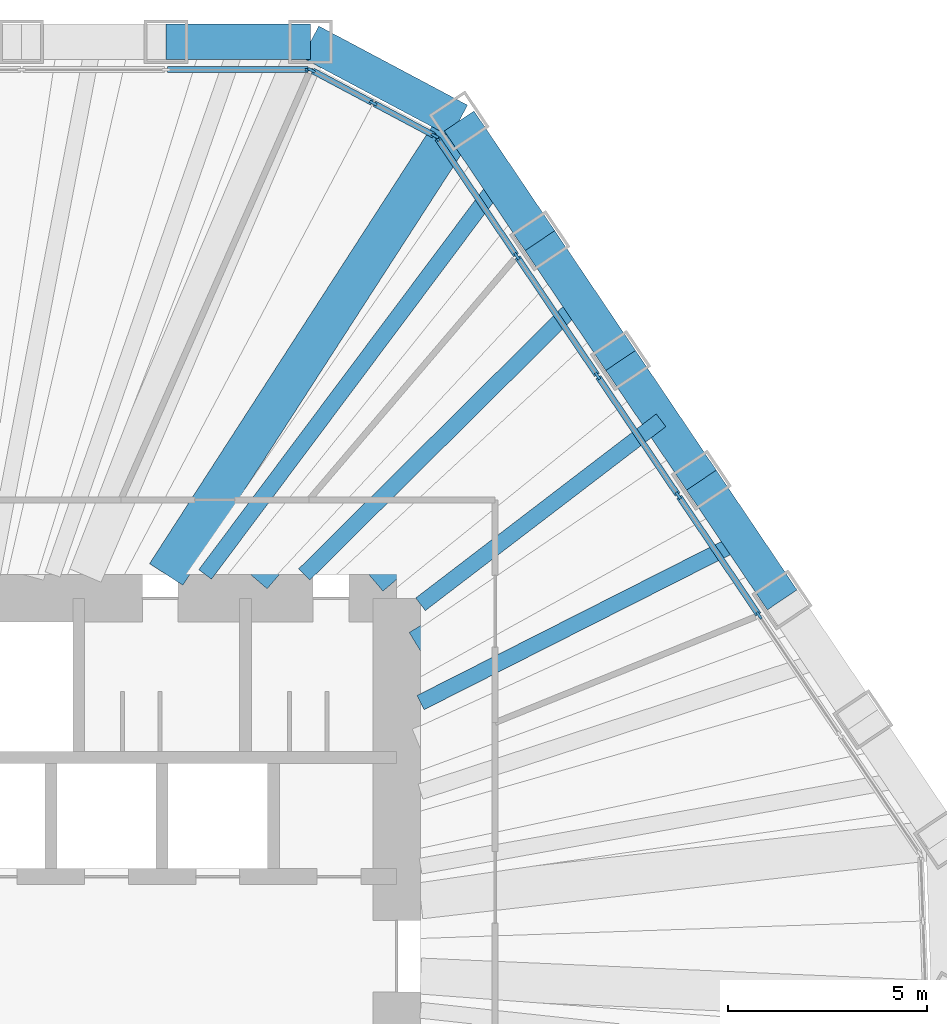
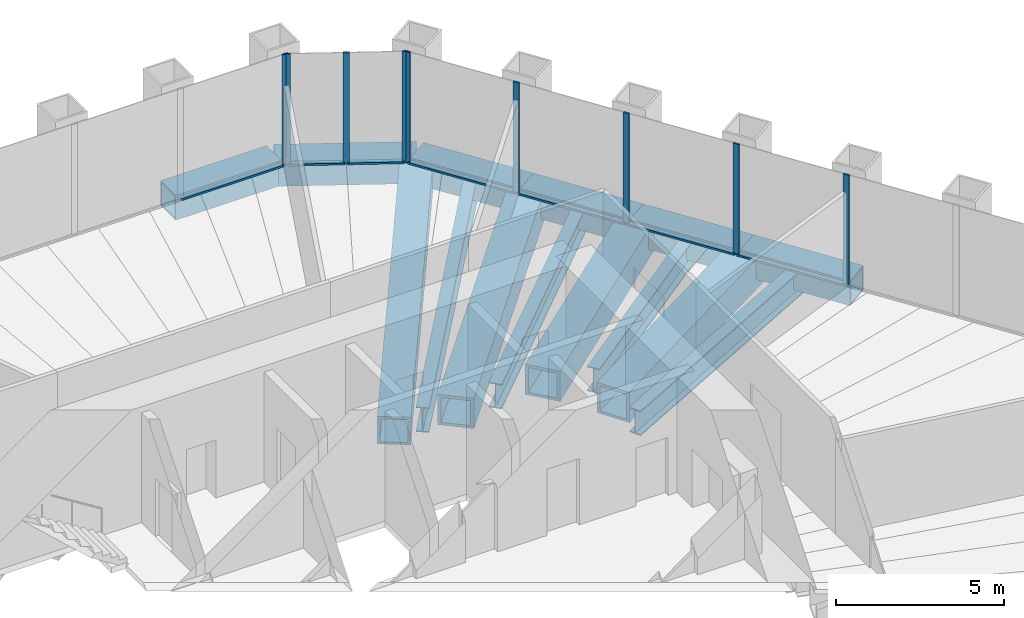
# One storey, part 6 of 12: 16 members, 14 beams, 3 elements without a shape of their own.
"""IFC4 building model written with IfcOpenShell, lengths in metres."""

from ifc_helpers import new_model, si_unit, direction, frame, origin, origin_2d, place, context, subcontext, project, spatial, rectangle, hollow_rectangle, i_section, extrude, material, material_profile, profile_set, type_object, element, aggregate, save


model = new_model("IFC4")

# Units and contexts
model_context = context("Model", 3, precision=1e-05, world=origin(), true_north=direction((0.0, 1.0)))
body_context = subcontext(model_context, "Body", "Model", "MODEL_VIEW")
ifc_project = project(units=[si_unit("LENGTHUNIT", "METRE"), si_unit("AREAUNIT", "SQUARE_METRE"), si_unit("VOLUMEUNIT", "CUBIC_METRE"), si_unit("PLANEANGLEUNIT", "RADIAN"), si_unit("MASSUNIT", "GRAM", prefix="KILO")], contexts=[model_context])

# Site, building, storey
site_placement = place(None, origin())
site = spatial("IfcSite", under=ifc_project, at=site_placement, CompositionType="ELEMENT")
building_placement = place(site_placement, origin())
building = spatial("IfcBuilding", under=site, at=building_placement, Name="Qingtian Harvest Tower", CompositionType="ELEMENT")
storey_placement = place(building_placement, frame((0.0, 0.0, 184.60009765625)))
storey = spatial("IfcBuildingStorey", under=building, at=storey_placement, Name="L39", CompositionType="ELEMENT", Elevation=184.60009765625)

# Beams
ifc_material_1 = material(Name="Steel SN490B", Category="steel")
ifc_material_profile_1 = material_profile(ifc_material_1, i_section(OverallWidth=0.39990234375, OverallDepth=0.89990234375, WebThickness=0.01904296875, FlangeThickness=0.035888671875, at=origin_2d()), Name="H900x400x19x36")
ifc_profile_set_1 = profile_set([ifc_material_profile_1], Name="Steel SN490B")
beam_type_1 = type_object("IfcBeamType", Name="Floor joist J4 H900x400x19x36", PredefinedType="JOIST", material=ifc_profile_set_1)
beam_1_placement = place(storey_placement, frame((14.58740234375, 19.504150390625, -0.6201171875), z_axis=(-0.598935081494, -0.800797582511, 0.0), x_axis=(0.800797582511, -0.598935081494, 0.0)))
element("IfcBeam", 1, at=beam_1_placement, inside=storey, type_object=beam_type_1, Name="Floor joist J4 NE0", PredefinedType="JOIST", context=body_context, shape_type="SweptSolid", body=[
    extrude(i_section(OverallWidth=0.39990234375, OverallDepth=0.89990234375, WebThickness=0.01904296875, FlangeThickness=0.035888671875, at=origin_2d()), origin(), (0.0, 0.0, 1.0), 12.36767578125),
])
beam_2_placement = place(storey_placement, frame((16.619140625, 16.49169921875, -0.6201171875), z_axis=(-0.709833839663, -0.704369164622, 0.0), x_axis=(0.704369164622, -0.709833839663, 0.0)))
element("IfcBeam", 2, at=beam_2_placement, inside=storey, type_object=beam_type_1, Name="Floor joist J4 NE1", PredefinedType="JOIST", context=body_context, shape_type="SweptSolid", body=[
    extrude(i_section(OverallWidth=0.39990234375, OverallDepth=0.89990234375, WebThickness=0.01904296875, FlangeThickness=0.035888671875, at=origin_2d()), origin(), (0.0, 0.0, 1.0), 9.7841796875),
])
beam_3_placement = place(storey_placement, frame((18.651123046875, 13.4794921875, -0.6201171875), z_axis=(-0.794222288871, -0.607627316585, 0.0), x_axis=(0.607627316585, -0.794222288871, 0.0)))
element("IfcBeam", 3, at=beam_3_placement, inside=storey, type_object=beam_type_1, Name="Floor joist J4 NE2", PredefinedType="JOIST", context=body_context, shape_type="SweptSolid", body=[
    extrude(i_section(OverallWidth=0.39990234375, OverallDepth=0.89990234375, WebThickness=0.01904296875, FlangeThickness=0.035888671875, at=origin_2d()), origin(), (0.0, 0.0, 1.0), 7.618896484375),
])
beam_4_placement = place(storey_placement, frame((20.682861328125, 10.467041015625, -0.6201171875), z_axis=(-0.892244443914, -0.451552712652, 0.0), x_axis=(0.451552712652, -0.892244443914, 0.0)))
element("IfcBeam", 4, at=beam_4_placement, inside=storey, type_object=beam_type_1, Name="Floor joist J4 NE3", PredefinedType="JOIST", context=body_context, shape_type="SweptSolid", body=[
    extrude(i_section(OverallWidth=0.39990234375, OverallDepth=0.89990234375, WebThickness=0.01904296875, FlangeThickness=0.035888671875, at=origin_2d()), origin(), (0.0, 0.0, 1.0), 9.058837890625),
])

# Curtain wall, member
ifc_material_2 = material(Name="Bronze-anodised aluminium curtain wall", Category="aluminium")
curtain_wall_type = type_object("IfcCurtainWallType", Name="Curtain wall CW4 office", PredefinedType="USERDEFINED", material=ifc_material_2)
curtain_wall_1_placement = place(storey_placement, origin())
curtain_wall_1 = element("IfcCurtainWall", 5, at=curtain_wall_1_placement, inside=storey, type_object=curtain_wall_type, Name="Curtain wall CW4 L39 N0-5", ObjectType="RECESSED CURTAIN WALL", PredefinedType="USERDEFINED")
ifc_material_3 = material(Name="Bronze-anodised aluminium mullion", Category="aluminium")
ifc_material_profile_2 = material_profile(ifc_material_3, rectangle(XDim=0.06494140625, YDim=0.199951171875, at=origin_2d()), Name="AL 65x200")
ifc_profile_set_2 = profile_set([ifc_material_profile_2], Name="Bronze-anodised aluminium mullion")
member_type_1 = type_object("IfcMemberType", Name="Mullion CWM 65x200", PredefinedType="MULLION", material=ifc_profile_set_2)
member_1_placement = place(storey_placement, frame((9.796875, 22.300048828125, 0.0), z_axis=(0.0, 0.0, 1.0), x_axis=(0.0, 1.0, 0.0)))
member_1 = element("IfcMember", 6, at=member_1_placement, type_object=member_type_1, Name="CW4 mullion 7", PredefinedType="MULLION", context=body_context, shape_type="SweptSolid", body=[
    extrude(rectangle(XDim=0.06494140625, YDim=0.199951171875, at=origin_2d()), origin(), (0.0, 0.0, 1.0), 4.02978515625),
])

# Curtain wall, members
curtain_wall_2_placement = place(storey_placement, origin())
curtain_wall_2 = element("IfcCurtainWall", 7, at=curtain_wall_2_placement, inside=storey, type_object=curtain_wall_type, Name="Curtain wall CW4 L39 NC", ObjectType="RECESSED CURTAIN WALL", PredefinedType="USERDEFINED")
member_2_placement = place(storey_placement, frame((9.85791015625, 22.28466796875, 0.0), z_axis=(0.0, 0.0, 1.0), x_axis=(0.469471562786, 0.882947592859, 0.0)))
member_2 = element("IfcMember", 8, at=member_2_placement, type_object=member_type_1, Name="CW4 mullion 1", PredefinedType="MULLION", context=body_context, shape_type="SweptSolid", body=[
    extrude(rectangle(XDim=0.06494140625, YDim=0.199951171875, at=origin_2d()), origin(), (0.0, 0.0, 1.0), 4.02978515625),
])
member_3_placement = place(storey_placement, frame((11.41015625, 21.45947265625, 0.0), z_axis=(0.0, 0.0, 1.0), x_axis=(0.469471562786, 0.882947592859, 0.0)))
member_3 = element("IfcMember", 9, at=member_3_placement, type_object=member_type_1, Name="CW4 mullion 2", PredefinedType="MULLION", context=body_context, shape_type="SweptSolid", body=[
    extrude(rectangle(XDim=0.06494140625, YDim=0.199951171875, at=origin_2d()), origin(), (0.0, 0.0, 1.0), 4.02978515625),
])
member_4_placement = place(storey_placement, frame((12.96240234375, 20.634033203125, 0.0), z_axis=(0.0, 0.0, 1.0), x_axis=(0.469471562786, 0.882947592859, 0.0)))
member_4 = element("IfcMember", 10, at=member_4_placement, type_object=member_type_1, Name="CW4 mullion 3", PredefinedType="MULLION", context=body_context, shape_type="SweptSolid", body=[
    extrude(rectangle(XDim=0.06494140625, YDim=0.199951171875, at=origin_2d()), origin(), (0.0, 0.0, 1.0), 4.02978515625),
])

curtain_wall_3_placement = place(storey_placement, origin())
curtain_wall_3 = element("IfcCurtainWall", 11, at=curtain_wall_3_placement, inside=storey, type_object=curtain_wall_type, Name="Curtain wall CW4 L39 NE0-5", ObjectType="RECESSED CURTAIN WALL", PredefinedType="USERDEFINED")
member_5_placement = place(storey_placement, frame((13.00927734375, 20.592041015625, 0.0), z_axis=(0.0, 0.0, 1.0), x_axis=(0.829037572555, 0.559192903471, 0.0)))
member_5 = element("IfcMember", 12, at=member_5_placement, type_object=member_type_1, Name="CW4 mullion 1", PredefinedType="MULLION", context=body_context, shape_type="SweptSolid", body=[
    extrude(rectangle(XDim=0.06494140625, YDim=0.199951171875, at=origin_2d()), origin(), (0.0, 0.0, 1.0), 4.02978515625),
])
member_6_placement = place(storey_placement, frame((15.02294921875, 17.6064453125, 0.0), z_axis=(0.0, 0.0, 1.0), x_axis=(0.829037572555, 0.559192903471, 0.0)))
member_6 = element("IfcMember", 13, at=member_6_placement, type_object=member_type_1, Name="CW4 mullion 2", PredefinedType="MULLION", context=body_context, shape_type="SweptSolid", body=[
    extrude(rectangle(XDim=0.06494140625, YDim=0.199951171875, at=origin_2d()), origin(), (0.0, 0.0, 1.0), 4.02978515625),
])
member_7_placement = place(storey_placement, frame((17.0546875, 14.59423828125, 0.0), z_axis=(0.0, 0.0, 1.0), x_axis=(0.829037572555, 0.559192903471, 0.0)))
member_7 = element("IfcMember", 14, at=member_7_placement, type_object=member_type_1, Name="CW4 mullion 3", PredefinedType="MULLION", context=body_context, shape_type="SweptSolid", body=[
    extrude(rectangle(XDim=0.06494140625, YDim=0.199951171875, at=origin_2d()), origin(), (0.0, 0.0, 1.0), 4.02978515625),
])
member_8_placement = place(storey_placement, frame((19.086669921875, 11.581787109375, 0.0), z_axis=(0.0, 0.0, 1.0), x_axis=(0.829037572555, 0.559192903471, 0.0)))
member_8 = element("IfcMember", 15, at=member_8_placement, type_object=member_type_1, Name="CW4 mullion 4", PredefinedType="MULLION", context=body_context, shape_type="SweptSolid", body=[
    extrude(rectangle(XDim=0.06494140625, YDim=0.199951171875, at=origin_2d()), origin(), (0.0, 0.0, 1.0), 4.02978515625),
])
member_9_placement = place(storey_placement, frame((21.118408203125, 8.569580078125, 0.0), z_axis=(0.0, 0.0, 1.0), x_axis=(0.829037572555, 0.559192903471, 0.0)))
member_9 = element("IfcMember", 16, at=member_9_placement, type_object=member_type_1, Name="CW4 mullion 5", PredefinedType="MULLION", context=body_context, shape_type="SweptSolid", body=[
    extrude(rectangle(XDim=0.06494140625, YDim=0.199951171875, at=origin_2d()), origin(), (0.0, 0.0, 1.0), 4.02978515625),
])

# Beams
ifc_material_4 = material(Name="Steel SM570MC", Category="steel")
ifc_material_profile_3 = material_profile(ifc_material_4, hollow_rectangle(XDim=1.0, YDim=1.0, WallThickness=0.080078125, at=origin_2d()), Name="BOX1000x1000x80")
ifc_profile_set_3 = profile_set([ifc_material_profile_3], Name="Steel SM570MC")
beam_type_2 = type_object("IfcBeamType", Name="Transfer corner beam FB11 BOX1000x1000x80", PredefinedType="BEAM", material=ifc_profile_set_3)
beam_5_placement = place(storey_placement, frame((13.5712890625, 21.01025390625, -0.670166015625), z_axis=(-0.542593072822, -0.839995688873, 0.0), x_axis=(0.839995688873, -0.542593072822, 0.0)))
element("IfcBeam", 17, at=beam_5_placement, inside=storey, type_object=beam_type_2, Name="Floor beam FB11 NE0", PredefinedType="BEAM", context=body_context, shape_type="SweptSolid", body=[
    extrude(hollow_rectangle(XDim=1.0, YDim=1.0, WallThickness=0.080078125, at=origin_2d()), origin(), (0.0, 0.0, 1.0), 13.58349609375),
])
ifc_material_5 = material(Name="Steel SM570MC", Category="steel")
ifc_material_profile_4 = material_profile(ifc_material_5, hollow_rectangle(XDim=1.10009765625, YDim=1.10009765625, WallThickness=0.10009765625, at=origin_2d()), Name="BOX1100x1100x100")
ifc_profile_set_4 = profile_set([ifc_material_profile_4], Name="Steel SM570MC")
beam_type_3 = type_object("IfcBeamType", Name="Transfer floor beam FB9 BOX1100x1100x100", PredefinedType="BEAM", material=ifc_profile_set_4)
beam_6_placement = place(storey_placement, frame((15.603271484375, 17.998046875, -0.72021484375), z_axis=(-0.655048444444, -0.755586881458, 0.0), x_axis=(0.755586881458, -0.655048444444, 0.0)))
element("IfcBeam", 18, at=beam_6_placement, inside=storey, type_object=beam_type_3, Name="Floor beam FB9 NE1", PredefinedType="BEAM", context=body_context, shape_type="SweptSolid", body=[
    extrude(hollow_rectangle(XDim=1.10009765625, YDim=1.10009765625, WallThickness=0.10009765625, at=origin_2d()), origin(), (0.0, 0.0, 1.0), 11.114501953125),
])
beam_7_placement = place(storey_placement, frame((17.635009765625, 14.985595703125, -0.72021484375), z_axis=(-0.762028398305, -0.647543604846, 0.0), x_axis=(0.647543604846, -0.762028398305, 0.0)))
element("IfcBeam", 19, at=beam_7_placement, inside=storey, type_object=beam_type_3, Name="Floor beam FB9 NE2", PredefinedType="BEAM", context=body_context, shape_type="SweptSolid", body=[
    extrude(hollow_rectangle(XDim=1.10009765625, YDim=1.10009765625, WallThickness=0.10009765625, at=origin_2d()), origin(), (0.0, 0.0, 1.0), 8.31689453125),
])
beam_8_placement = place(storey_placement, frame((19.6669921875, 11.97314453125, -0.72021484375), z_axis=(-0.854163224424, -0.520004986554, 0.0), x_axis=(0.520004986554, -0.854163224424, 0.0)))
element("IfcBeam", 20, at=beam_8_placement, inside=storey, type_object=beam_type_3, Name="Floor beam FB9 NE3", PredefinedType="BEAM", context=body_context, shape_type="SweptSolid", body=[
    extrude(hollow_rectangle(XDim=1.10009765625, YDim=1.10009765625, WallThickness=0.10009765625, at=origin_2d()), origin(), (0.0, 0.0, 1.0), 8.2734375),
])
ifc_material_6 = material(Name="Steel SM570MC", Category="steel")
ifc_material_profile_5 = material_profile(ifc_material_6, hollow_rectangle(XDim=0.89990234375, YDim=0.89990234375, WallThickness=0.050048828125, at=origin_2d()), Name="BOX900x900x50")
ifc_profile_set_5 = profile_set([ifc_material_profile_5], Name="Steel SM570MC")
beam_type_4 = type_object("IfcBeamType", Name="Transition spandrel SB6 BOX900x900x50", PredefinedType="SPANDREL", material=ifc_profile_set_5)
beam_9_placement = place(storey_placement, frame((6.19580078125, 23.0, -0.4501953125), z_axis=(1.0, 0.0, 0.0), x_axis=(0.0, 1.0, 0.0)))
element("IfcBeam", 21, at=beam_9_placement, inside=storey, type_object=beam_type_4, Name="Spandrel SB6 N5", PredefinedType="SPANDREL", context=body_context, shape_type="SweptSolid", body=[
    extrude(hollow_rectangle(XDim=0.89990234375, YDim=0.89990234375, WallThickness=0.050048828125, at=origin_2d()), origin(), (0.0, 0.0, 1.0), 3.633544921875),
])
beam_10_placement = place(storey_placement, frame((9.829345703125, 23.0, -0.4501953125), z_axis=(0.882935902835, -0.469493547863, 0.0), x_axis=(0.469493547863, 0.882935902835, 0.0)))
element("IfcBeam", 22, at=beam_10_placement, inside=storey, type_object=beam_type_4, Name="Spandrel SB6 NC", PredefinedType="SPANDREL", context=body_context, shape_type="SweptSolid", body=[
    extrude(hollow_rectangle(XDim=0.89990234375, YDim=0.89990234375, WallThickness=0.050048828125, at=origin_2d()), origin(), (0.0, 0.0, 1.0), 4.238037109375),
])
for number, where, z_axis, x_axis, name in (
    (23, (13.5712890625, 21.01025390625, -0.4501953125), (0.559235108412, -0.829009103399, 0.0), (0.829009103399, 0.559235108412, 0.0), "Spandrel SB6 NE0"),
    (24, (15.603271484375, 17.998046875, -0.4501953125), (0.55915777886, -0.829061263321, 0.0), (0.829061263321, 0.55915777886, 0.0), "Spandrel SB6 NE1"),
):
    element("IfcBeam", number, at=place(storey_placement, frame(where, z_axis=z_axis, x_axis=x_axis)), inside=storey, type_object=beam_type_4, Name=name, PredefinedType="SPANDREL", context=body_context, shape_type="SweptSolid", body=[
        extrude(hollow_rectangle(XDim=0.89990234375, YDim=0.89990234375, WallThickness=0.050048828125, at=origin_2d()), origin(), (0.0, 0.0, 1.0), 3.633544921875),
    ])
beam_11_placement = place(storey_placement, frame((17.635009765625, 14.985595703125, -0.4501953125), z_axis=(0.55920395902, -0.829030115385, 0.0), x_axis=(0.829030115385, 0.55920395902, 0.0)))
element("IfcBeam", 25, at=beam_11_placement, inside=storey, type_object=beam_type_4, Name="Spandrel SB6 NE2", PredefinedType="SPANDREL", context=body_context, shape_type="SweptSolid", body=[
    extrude(hollow_rectangle(XDim=0.89990234375, YDim=0.89990234375, WallThickness=0.050048828125, at=origin_2d()), origin(), (0.0, 0.0, 1.0), 3.6337890625),
])
beam_12_placement = place(storey_placement, frame((19.6669921875, 11.97314453125, -0.4501953125), z_axis=(0.559188928021, -0.829040254016, 0.0), x_axis=(0.829040254016, 0.559188928021, 0.0)))
element("IfcBeam", 26, at=beam_12_placement, inside=storey, type_object=beam_type_4, Name="Spandrel SB6 NE3", PredefinedType="SPANDREL", context=body_context, shape_type="SweptSolid", body=[
    extrude(hollow_rectangle(XDim=0.89990234375, YDim=0.89990234375, WallThickness=0.050048828125, at=origin_2d()), origin(), (0.0, 0.0, 1.0), 3.63330078125),
])

# Member
ifc_material_7 = material(Name="Bronze-anodised aluminium transom", Category="aluminium")
ifc_material_profile_6 = material_profile(ifc_material_7, rectangle(XDim=0.14990234375, YDim=0.06494140625, at=origin_2d()), Name="AL 65x150")
ifc_profile_set_6 = profile_set([ifc_material_profile_6], Name="Bronze-anodised aluminium transom")
member_type_2 = type_object("IfcMemberType", Name="Transom CWT 65x150", PredefinedType="USERDEFINED", material=ifc_profile_set_6)
member_10_placement = place(storey_placement, frame((6.228271484375, 22.300048828125, 0.032470703125), z_axis=(1.0, 0.0, 0.0), x_axis=(0.0, 1.0, 0.0)))
member_10 = element("IfcMember", 27, at=member_10_placement, type_object=member_type_2, Name="CW4 transom 6.1", ObjectType="TRANSOM", PredefinedType="USERDEFINED", context=body_context, shape_type="SweptSolid", body=[
    extrude(rectangle(XDim=0.14990234375, YDim=0.06494140625, at=origin_2d()), origin(), (0.0, 0.0, 1.0), 3.5361328125),
])

aggregate(curtain_wall_1, [member_1, member_10])

member_11_placement = place(storey_placement, frame((9.88671875, 22.26953125, 0.032470703125), z_axis=(0.882927080927, -0.469510138086, 0.0), x_axis=(0.469510138086, 0.882927080927, 0.0)))
member_11 = element("IfcMember", 28, at=member_11_placement, type_object=member_type_2, Name="CW4 transom 1.1", ObjectType="TRANSOM", PredefinedType="USERDEFINED", context=body_context, shape_type="SweptSolid", body=[
    extrude(rectangle(XDim=0.14990234375, YDim=0.06494140625, at=origin_2d()), origin(), (0.0, 0.0, 1.0), 1.693115234375),
])

member_12_placement = place(storey_placement, frame((11.43896484375, 21.444091796875, 0.032470703125), z_axis=(0.882955074232, -0.469457492098, 0.0), x_axis=(0.469457492098, 0.882955074232, 0.0)))
member_12 = element("IfcMember", 29, at=member_12_placement, type_object=member_type_2, Name="CW4 transom 2.1", ObjectType="TRANSOM", PredefinedType="USERDEFINED", context=body_context, shape_type="SweptSolid", body=[
    extrude(rectangle(XDim=0.14990234375, YDim=0.06494140625, at=origin_2d()), origin(), (0.0, 0.0, 1.0), 1.69287109375),
])

aggregate(curtain_wall_2, [member_2, member_3, member_4, member_11, member_12])

member_13_placement = place(storey_placement, frame((13.02734375, 20.56494140625, 0.032470703125), z_axis=(0.559201266891, -0.829031931295, 0.0), x_axis=(0.829031931295, 0.559201266891, 0.0)))
member_13 = element("IfcMember", 30, at=member_13_placement, type_object=member_type_2, Name="CW4 transom 1.1", ObjectType="TRANSOM", PredefinedType="USERDEFINED", context=body_context, shape_type="SweptSolid", body=[
    extrude(rectangle(XDim=0.14990234375, YDim=0.06494140625, at=origin_2d()), origin(), (0.0, 0.0, 1.0), 3.535888671875),
])

member_14_placement = place(storey_placement, frame((15.041015625, 17.57958984375, 0.032470703125), z_axis=(0.559207281901, -0.829027874, 0.0), x_axis=(0.829027874, 0.559207281901, 0.0)))
member_14 = element("IfcMember", 31, at=member_14_placement, type_object=member_type_2, Name="CW4 transom 2.1", ObjectType="TRANSOM", PredefinedType="USERDEFINED", context=body_context, shape_type="SweptSolid", body=[
    extrude(rectangle(XDim=0.14990234375, YDim=0.06494140625, at=origin_2d()), origin(), (0.0, 0.0, 1.0), 3.568603515625),
])

member_15_placement = place(storey_placement, frame((17.072998046875, 14.567138671875, 0.032470703125), z_axis=(0.559191977147, -0.829038197368, 0.0), x_axis=(0.829038197368, 0.559191977147, 0.0)))
member_15 = element("IfcMember", 32, at=member_15_placement, type_object=member_type_2, Name="CW4 transom 3.1", ObjectType="TRANSOM", PredefinedType="USERDEFINED", context=body_context, shape_type="SweptSolid", body=[
    extrude(rectangle(XDim=0.14990234375, YDim=0.06494140625, at=origin_2d()), origin(), (0.0, 0.0, 1.0), 3.568359375),
])

member_16_placement = place(storey_placement, frame((19.104736328125, 11.554931640625, 0.032470703125), z_axis=(0.559207281901, -0.829027874, 0.0), x_axis=(0.829027874, 0.559207281901, 0.0)))
member_16 = element("IfcMember", 33, at=member_16_placement, type_object=member_type_2, Name="CW4 transom 4.1", ObjectType="TRANSOM", PredefinedType="USERDEFINED", context=body_context, shape_type="SweptSolid", body=[
    extrude(rectangle(XDim=0.14990234375, YDim=0.06494140625, at=origin_2d()), origin(), (0.0, 0.0, 1.0), 3.568603515625),
])

aggregate(curtain_wall_3, [member_5, member_6, member_7, member_8, member_9, member_13, member_14, member_15, member_16])

save(model, "model.ifc")
